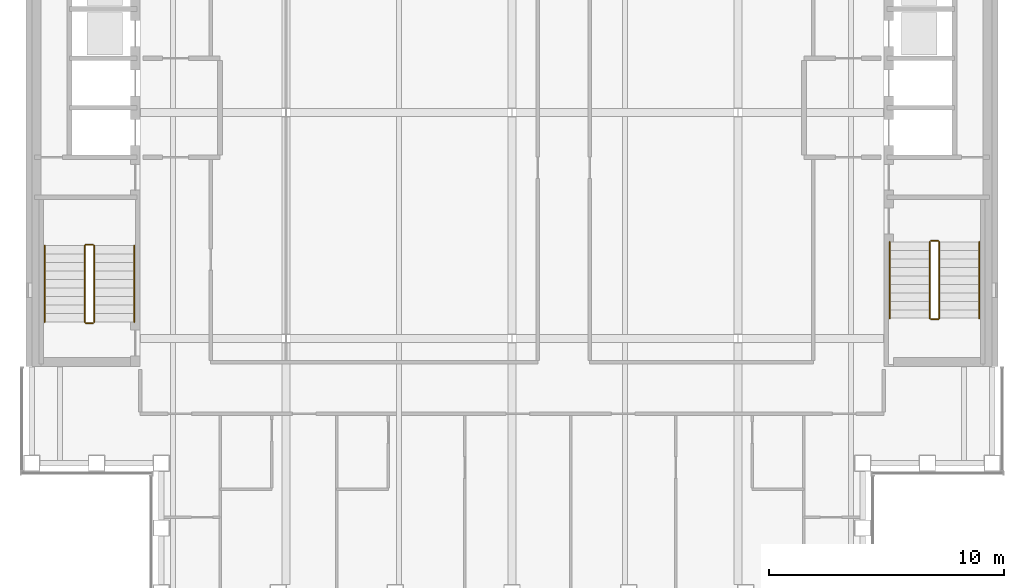
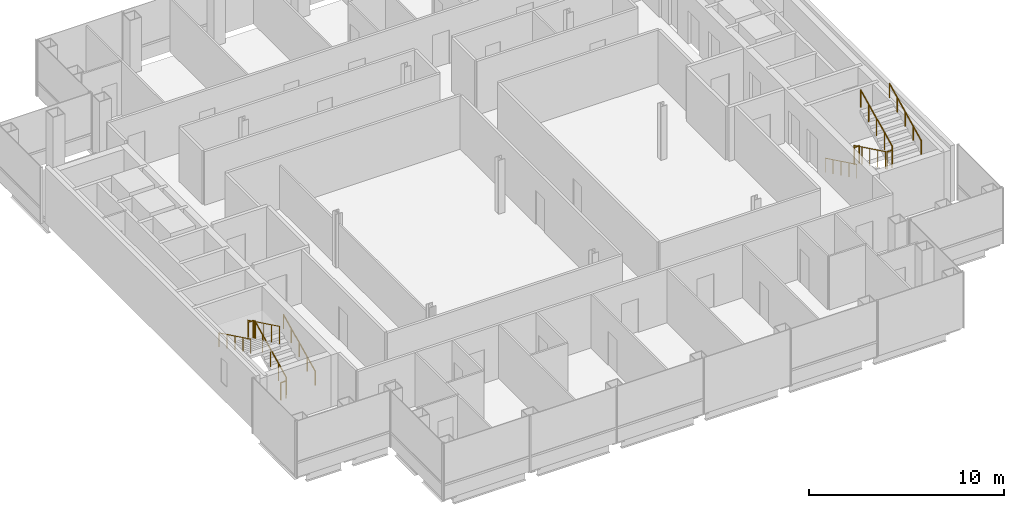
# One storey, part 14 of 15: 12 railings.
"""IFC4 building model written with IfcOpenShell, lengths in metres."""

from ifc_helpers import new_model, si_unit, direction, frame, origin, origin_2d, place, context, subcontext, project, spatial, circle, extrude, material, type_object, element, save


model = new_model("IFC4")

# Units and contexts
model_context = context("Model", 3, precision=1e-05, world=origin(), true_north=direction((0.0, 1.0)))
body_context = subcontext(model_context, "Body", "Model", "MODEL_VIEW")
ifc_project = project(units=[si_unit("LENGTHUNIT", "METRE"), si_unit("AREAUNIT", "SQUARE_METRE"), si_unit("VOLUMEUNIT", "CUBIC_METRE"), si_unit("PLANEANGLEUNIT", "RADIAN"), si_unit("MASSUNIT", "GRAM", prefix="KILO")], contexts=[model_context])

# Site, building, storey
site_placement = place(None, origin())
site = spatial("IfcSite", under=ifc_project, at=site_placement, CompositionType="ELEMENT")
building_placement = place(site_placement, origin())
building = spatial("IfcBuilding", under=site, at=building_placement, Name="Cobrizo Arcos Hotel Tower", CompositionType="ELEMENT")
storey_placement = place(building_placement, frame((0.0, 0.0, 215.5)))
storey = spatial("IfcBuildingStorey", under=building, at=storey_placement, Name="L56", CompositionType="ELEMENT", Elevation=215.5)

# Railings
ifc_material = material(Name="Stainless steel railing", Category="steel")
railing_type_1 = type_object("IfcRailingType", Name="Stair guard 1100", PredefinedType="GUARDRAIL", material=ifc_material)
railing_1_placement = place(storey_placement, frame((-17.75, -8.89990234375, 0.175048828125)))
element("IfcRailing", 1, at=railing_1_placement, inside=storey, type_object=railing_type_1, Name="L56 ST-W stair guard 1", PredefinedType="GUARDRAIL", context=body_context, shape_type="SweptSolid", body=[
    extrude(circle(Radius=0.02392578125, at=origin_2d()), frame((0.0, 0.0, 1.076171875), z_axis=(0.0, 0.899372665325, 0.437182809435), x_axis=(-1.0, 0.0, 0.0)), (0.0, 0.0, 1.0), 3.6025390625),
    extrude(circle(Radius=0.02099609375, at=origin_2d()), origin(), (0.0, 0.0, 1.0), 1.052001953125),
    extrude(circle(Radius=0.02099609375, at=origin_2d()), frame((0.0, 0.81005859375, 0.393798828125)), (0.0, 0.0, 1.0), 1.052001953125),
    extrude(circle(Radius=0.02099609375, at=origin_2d()), frame((0.0, 1.6201171875, 0.78759765625)), (0.0, 0.0, 1.0), 1.052001953125),
    extrude(circle(Radius=0.02099609375, at=origin_2d()), frame((0.0, 2.429931640625, 1.18115234375)), (0.0, 0.0, 1.0), 1.052001953125),
    extrude(circle(Radius=0.02099609375, at=origin_2d()), frame((0.0, 3.239990234375, 1.574951171875)), (0.0, 0.0, 1.0), 1.052001953125),
])
railing_2_placement = place(storey_placement, frame((-17.800048828125, -5.610107421875, 1.75)))
element("IfcRailing", 2, at=railing_2_placement, inside=storey, type_object=railing_type_1, Name="L56 ST-W stair guard 2", PredefinedType="GUARDRAIL", context=body_context, shape_type="SweptSolid", body=[
    extrude(circle(Radius=0.02392578125, at=origin_2d()), frame((0.0, 0.0, 1.076171875), z_axis=(-1.0, 0.0, 0.0), x_axis=(0.0, -1.0, 0.0)), (0.0, 0.0, 1.0), 0.300048828125),
    extrude(circle(Radius=0.02099609375, at=origin_2d()), origin(), (0.0, 0.0, 1.0), 1.052001953125),
    extrude(circle(Radius=0.02099609375, at=origin_2d()), frame((-0.300048828125, 0.0, 0.0)), (0.0, 0.0, 1.0), 1.052001953125),
])
railing_3_placement = place(storey_placement, frame((-18.14990234375, -5.659912109375, 1.925048828125)))
element("IfcRailing", 3, at=railing_3_placement, inside=storey, type_object=railing_type_1, Name="L56 ST-W stair guard 3", PredefinedType="GUARDRAIL", context=body_context, shape_type="SweptSolid", body=[
    extrude(circle(Radius=0.02392578125, at=origin_2d()), frame((0.0, 0.0, 1.076171875), z_axis=(0.0, -0.899372665325, 0.437182809435), x_axis=(1.0, 0.0, 0.0)), (0.0, 0.0, 1.0), 3.6025390625),
    extrude(circle(Radius=0.02099609375, at=origin_2d()), origin(), (0.0, 0.0, 1.0), 1.052001953125),
    extrude(circle(Radius=0.02099609375, at=origin_2d()), frame((0.0, -0.81005859375, 0.393798828125)), (0.0, 0.0, 1.0), 1.052001953125),
    extrude(circle(Radius=0.02099609375, at=origin_2d()), frame((0.0, -1.6201171875, 0.78759765625)), (0.0, 0.0, 1.0), 1.052001953125),
    extrude(circle(Radius=0.02099609375, at=origin_2d()), frame((0.0, -2.429931640625, 1.18115234375)), (0.0, 0.0, 1.0), 1.052001953125),
    extrude(circle(Radius=0.02099609375, at=origin_2d()), frame((0.0, -3.239990234375, 1.574951171875)), (0.0, 0.0, 1.0), 1.052001953125),
])
railing_4_placement = place(storey_placement, frame((-17.800048828125, -8.949951171875, 0.0)))
element("IfcRailing", 4, at=railing_4_placement, inside=storey, type_object=railing_type_1, Name="L56 ST-W stair guard 4", PredefinedType="GUARDRAIL", context=body_context, shape_type="SweptSolid", body=[
    extrude(circle(Radius=0.02392578125, at=origin_2d()), frame((0.0, 0.0, 1.076171875), z_axis=(-1.0, 0.0, 0.0), x_axis=(0.0, -1.0, 0.0)), (0.0, 0.0, 1.0), 0.300048828125),
    extrude(circle(Radius=0.02099609375, at=origin_2d()), origin(), (0.0, 0.0, 1.0), 1.052001953125),
    extrude(circle(Radius=0.02099609375, at=origin_2d()), frame((-0.300048828125, 0.0, 0.0)), (0.0, 0.0, 1.0), 1.052001953125),
])
railing_5_placement = place(storey_placement, frame((17.75, -5.5, 0.175048828125)))
element("IfcRailing", 5, at=railing_5_placement, inside=storey, type_object=railing_type_1, Name="L56 ST-E stair guard 1", PredefinedType="GUARDRAIL", context=body_context, shape_type="SweptSolid", body=[
    extrude(circle(Radius=0.02392578125, at=origin_2d()), frame((0.0, 0.0, 1.076171875), z_axis=(0.0, -0.899372665325, 0.437182809435), x_axis=(1.0, 0.0, 0.0)), (0.0, 0.0, 1.0), 3.6025390625),
    extrude(circle(Radius=0.02099609375, at=origin_2d()), origin(), (0.0, 0.0, 1.0), 1.052001953125),
    extrude(circle(Radius=0.02099609375, at=origin_2d()), frame((0.0, -0.81005859375, 0.393798828125)), (0.0, 0.0, 1.0), 1.052001953125),
    extrude(circle(Radius=0.02099609375, at=origin_2d()), frame((0.0, -1.6201171875, 0.78759765625)), (0.0, 0.0, 1.0), 1.052001953125),
    extrude(circle(Radius=0.02099609375, at=origin_2d()), frame((0.0, -2.429931640625, 1.18115234375)), (0.0, 0.0, 1.0), 1.052001953125),
    extrude(circle(Radius=0.02099609375, at=origin_2d()), frame((0.0, -3.239990234375, 1.574951171875)), (0.0, 0.0, 1.0), 1.052001953125),
])
railing_6_placement = place(storey_placement, frame((17.800048828125, -8.7900390625, 1.75)))
element("IfcRailing", 6, at=railing_6_placement, inside=storey, type_object=railing_type_1, Name="L56 ST-E stair guard 2", PredefinedType="GUARDRAIL", context=body_context, shape_type="SweptSolid", body=[
    extrude(circle(Radius=0.02392578125, at=origin_2d()), frame((0.0, 0.0, 1.076171875), z_axis=(1.0, 0.0, 0.0), x_axis=(0.0, 1.0, 0.0)), (0.0, 0.0, 1.0), 0.300048828125),
    extrude(circle(Radius=0.02099609375, at=origin_2d()), origin(), (0.0, 0.0, 1.0), 1.052001953125),
    extrude(circle(Radius=0.02099609375, at=origin_2d()), frame((0.300048828125, 0.0, 0.0)), (0.0, 0.0, 1.0), 1.052001953125),
])
railing_7_placement = place(storey_placement, frame((18.14990234375, -8.739990234375, 1.925048828125)))
element("IfcRailing", 7, at=railing_7_placement, inside=storey, type_object=railing_type_1, Name="L56 ST-E stair guard 3", PredefinedType="GUARDRAIL", context=body_context, shape_type="SweptSolid", body=[
    extrude(circle(Radius=0.02392578125, at=origin_2d()), frame((0.0, 0.0, 1.076171875), z_axis=(0.0, 0.899372665325, 0.437182809435), x_axis=(-1.0, 0.0, 0.0)), (0.0, 0.0, 1.0), 3.6025390625),
    extrude(circle(Radius=0.02099609375, at=origin_2d()), origin(), (0.0, 0.0, 1.0), 1.052001953125),
    extrude(circle(Radius=0.02099609375, at=origin_2d()), frame((0.0, 0.81005859375, 0.393798828125)), (0.0, 0.0, 1.0), 1.052001953125),
    extrude(circle(Radius=0.02099609375, at=origin_2d()), frame((0.0, 1.6201171875, 0.78759765625)), (0.0, 0.0, 1.0), 1.052001953125),
    extrude(circle(Radius=0.02099609375, at=origin_2d()), frame((0.0, 2.429931640625, 1.18115234375)), (0.0, 0.0, 1.0), 1.052001953125),
    extrude(circle(Radius=0.02099609375, at=origin_2d()), frame((0.0, 3.239990234375, 1.574951171875)), (0.0, 0.0, 1.0), 1.052001953125),
])
railing_8_placement = place(storey_placement, frame((17.800048828125, -5.449951171875, 0.0)))
element("IfcRailing", 8, at=railing_8_placement, inside=storey, type_object=railing_type_1, Name="L56 ST-E stair guard 4", PredefinedType="GUARDRAIL", context=body_context, shape_type="SweptSolid", body=[
    extrude(circle(Radius=0.02392578125, at=origin_2d()), frame((0.0, 0.0, 1.076171875), z_axis=(1.0, 0.0, 0.0), x_axis=(0.0, 1.0, 0.0)), (0.0, 0.0, 1.0), 0.300048828125),
    extrude(circle(Radius=0.02099609375, at=origin_2d()), origin(), (0.0, 0.0, 1.0), 1.052001953125),
    extrude(circle(Radius=0.02099609375, at=origin_2d()), frame((0.300048828125, 0.0, 0.0)), (0.0, 0.0, 1.0), 1.052001953125),
])
railing_type_2 = type_object("IfcRailingType", Name="Stair handrail", PredefinedType="HANDRAIL", material=ifc_material)
railing_9_placement = place(storey_placement, frame((-16.050048828125, -8.89990234375, 0.175048828125)))
element("IfcRailing", 9, at=railing_9_placement, inside=storey, type_object=railing_type_2, Name="L56 ST-W stair handrail 1", PredefinedType="HANDRAIL", context=body_context, shape_type="SweptSolid", body=[
    extrude(circle(Radius=0.02392578125, at=origin_2d()), frame((0.0, 0.0, 0.8759765625), z_axis=(0.0, 0.899372665325, 0.437182809435), x_axis=(-1.0, 0.0, 0.0)), (0.0, 0.0, 1.0), 3.6025390625),
    extrude(circle(Radius=0.02099609375, at=origin_2d()), origin(), (0.0, 0.0, 1.0), 0.851806640625),
    extrude(circle(Radius=0.02099609375, at=origin_2d()), frame((0.0, 0.81005859375, 0.393798828125)), (0.0, 0.0, 1.0), 0.851806640625),
    extrude(circle(Radius=0.02099609375, at=origin_2d()), frame((0.0, 1.6201171875, 0.78759765625)), (0.0, 0.0, 1.0), 0.851806640625),
    extrude(circle(Radius=0.02099609375, at=origin_2d()), frame((0.0, 2.429931640625, 1.18115234375)), (0.0, 0.0, 1.0), 0.851806640625),
    extrude(circle(Radius=0.02099609375, at=origin_2d()), frame((0.0, 3.239990234375, 1.574951171875)), (0.0, 0.0, 1.0), 0.851806640625),
])
for number, where, name in (
    (10, (-19.85009765625, -5.659912109375, 1.925048828125), "L56 ST-W stair handrail 2"),
    (11, (16.050048828125, -5.5, 0.175048828125), "L56 ST-E stair handrail 1"),
):
    element("IfcRailing", number, at=place(storey_placement, frame(where)), inside=storey, type_object=railing_type_2, Name=name, PredefinedType="HANDRAIL", context=body_context, shape_type="SweptSolid", body=[
        extrude(circle(Radius=0.02392578125, at=origin_2d()), frame((0.0, 0.0, 0.8759765625), z_axis=(0.0, -0.899372665325, 0.437182809435), x_axis=(1.0, 0.0, 0.0)), (0.0, 0.0, 1.0), 3.6025390625),
        extrude(circle(Radius=0.02099609375, at=origin_2d()), origin(), (0.0, 0.0, 1.0), 0.851806640625),
        extrude(circle(Radius=0.02099609375, at=origin_2d()), frame((0.0, -0.81005859375, 0.393798828125)), (0.0, 0.0, 1.0), 0.851806640625),
        extrude(circle(Radius=0.02099609375, at=origin_2d()), frame((0.0, -1.6201171875, 0.78759765625)), (0.0, 0.0, 1.0), 0.851806640625),
        extrude(circle(Radius=0.02099609375, at=origin_2d()), frame((0.0, -2.429931640625, 1.18115234375)), (0.0, 0.0, 1.0), 0.851806640625),
        extrude(circle(Radius=0.02099609375, at=origin_2d()), frame((0.0, -3.239990234375, 1.574951171875)), (0.0, 0.0, 1.0), 0.851806640625),
    ])
railing_10_placement = place(storey_placement, frame((19.85009765625, -8.739990234375, 1.925048828125)))
element("IfcRailing", 12, at=railing_10_placement, inside=storey, type_object=railing_type_2, Name="L56 ST-E stair handrail 2", PredefinedType="HANDRAIL", context=body_context, shape_type="SweptSolid", body=[
    extrude(circle(Radius=0.02392578125, at=origin_2d()), frame((0.0, 0.0, 0.8759765625), z_axis=(0.0, 0.899372665325, 0.437182809435), x_axis=(-1.0, 0.0, 0.0)), (0.0, 0.0, 1.0), 3.6025390625),
    extrude(circle(Radius=0.02099609375, at=origin_2d()), origin(), (0.0, 0.0, 1.0), 0.851806640625),
    extrude(circle(Radius=0.02099609375, at=origin_2d()), frame((0.0, 0.81005859375, 0.393798828125)), (0.0, 0.0, 1.0), 0.851806640625),
    extrude(circle(Radius=0.02099609375, at=origin_2d()), frame((0.0, 1.6201171875, 0.78759765625)), (0.0, 0.0, 1.0), 0.851806640625),
    extrude(circle(Radius=0.02099609375, at=origin_2d()), frame((0.0, 2.429931640625, 1.18115234375)), (0.0, 0.0, 1.0), 0.851806640625),
    extrude(circle(Radius=0.02099609375, at=origin_2d()), frame((0.0, 3.239990234375, 1.574951171875)), (0.0, 0.0, 1.0), 0.851806640625),
])

save(model, "model.ifc")
